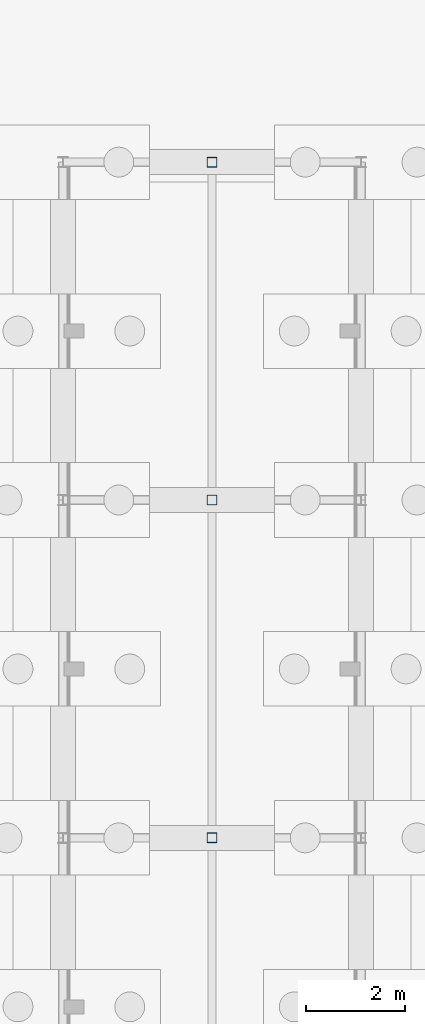
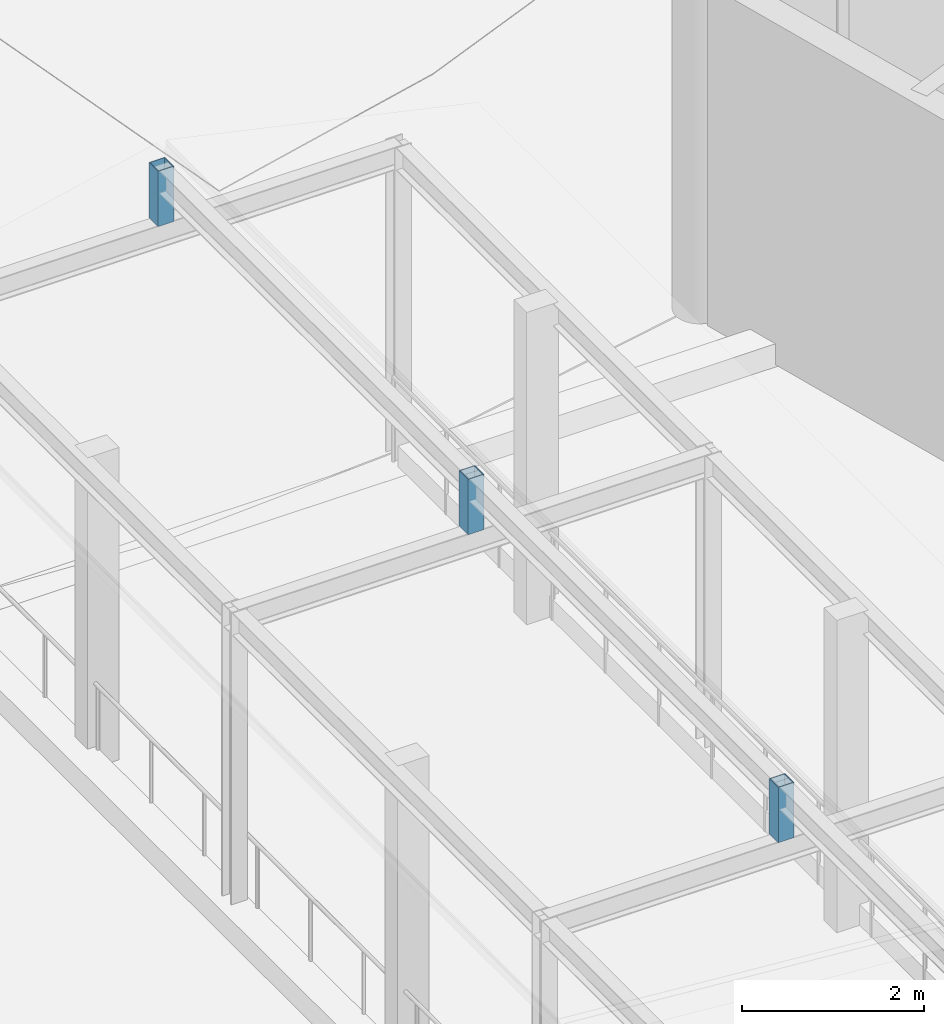
# One storey, part 84 of 137: 3 members.
"""IFC4 building model written with IfcOpenShell, lengths in metres."""

from ifc_helpers import new_model, si_unit, direction, frame, origin, origin_2d, place, context, subcontext, project, spatial, hollow_rectangle, extrude, material, material_profile, profile_set, type_object, element, save


model = new_model("IFC4")

# Units and contexts
model_context = context("Model", 3, precision=1e-05, world=origin(), true_north=direction((0.0, 1.0)))
body_context = subcontext(model_context, "Body", "Model", "MODEL_VIEW")
ifc_project = project(units=[si_unit("LENGTHUNIT", "METRE"), si_unit("AREAUNIT", "SQUARE_METRE"), si_unit("VOLUMEUNIT", "CUBIC_METRE"), si_unit("PLANEANGLEUNIT", "RADIAN"), si_unit("MASSUNIT", "GRAM", prefix="KILO")], contexts=[model_context])

# Site, building, storey
site_placement = place(None, origin())
site = spatial("IfcSite", under=ifc_project, at=site_placement, CompositionType="ELEMENT")
building_placement = place(site_placement, origin())
building = spatial("IfcBuilding", under=site, at=building_placement, Name="Vondelvale Polytechnic", CompositionType="ELEMENT")
storey_placement = place(building_placement, origin())
storey = spatial("IfcBuildingStorey", under=building, at=storey_placement, Name="L00", CompositionType="ELEMENT", Elevation=0.0)

# Members
ifc_material = material(Name="Steel C350L0 (fy = 350 MPa)", Category="steel")
ifc_material_profile = material_profile(ifc_material, hollow_rectangle(XDim=0.199951171875, YDim=0.199951171875, WallThickness=0.009033203125, at=origin_2d()), Name="200x200x9.0SHS")
ifc_profile_set = profile_set([ifc_material_profile], Name="Steel C350L0 (fy = 350 MPa)")
member_type = type_object("IfcMemberType", Name="ROOF TRUSS POST 200SHS", PredefinedType="POST", material=ifc_profile_set)
for number, where, z_axis, x_axis, name in (
    (1, (102.0, 30.60009765625, 4.179931640625), (0.0, 0.0, 1.0), (1.0, 0.0, 0.0), "Footbridge canopy ridge post"),
    (2, (102.0, 37.39990234375, 4.179931640625), (0.0, 0.0, 1.0), (1.0, 0.0, 0.0), "Footbridge canopy ridge post"),
    (3, (102.0, 44.199951171875, 4.179931640625), (0.0, 0.0, 1.0), (1.0, 0.0, 0.0), "Footbridge canopy ridge post"),
):
    element("IfcMember", number, at=place(storey_placement, frame(where, z_axis=z_axis, x_axis=x_axis)), inside=storey, type_object=member_type, Name=name, PredefinedType="POST", context=body_context, shape_type="SweptSolid", body=[
        extrude(hollow_rectangle(XDim=0.199951171875, YDim=0.199951171875, WallThickness=0.009033203125, at=origin_2d()), origin(), (0.0, 0.0, 1.0), 0.739990234375),
    ])

save(model, "model.ifc")
